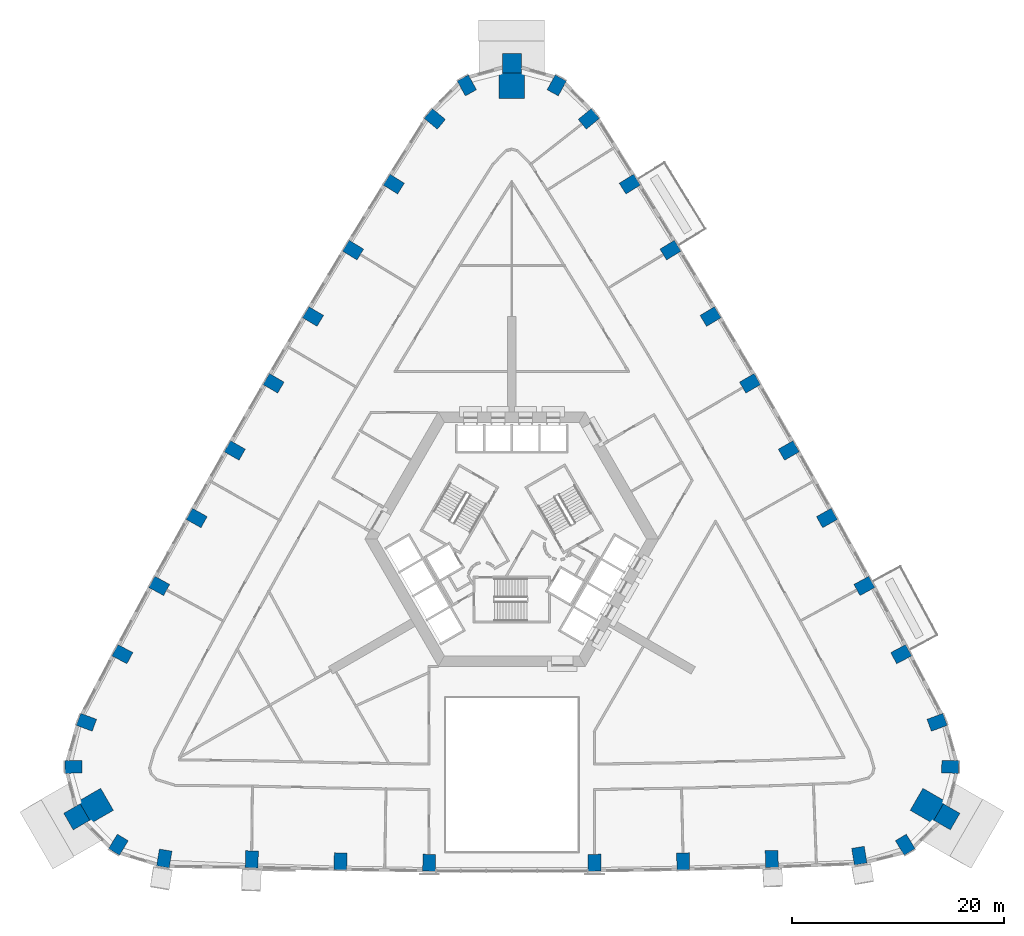
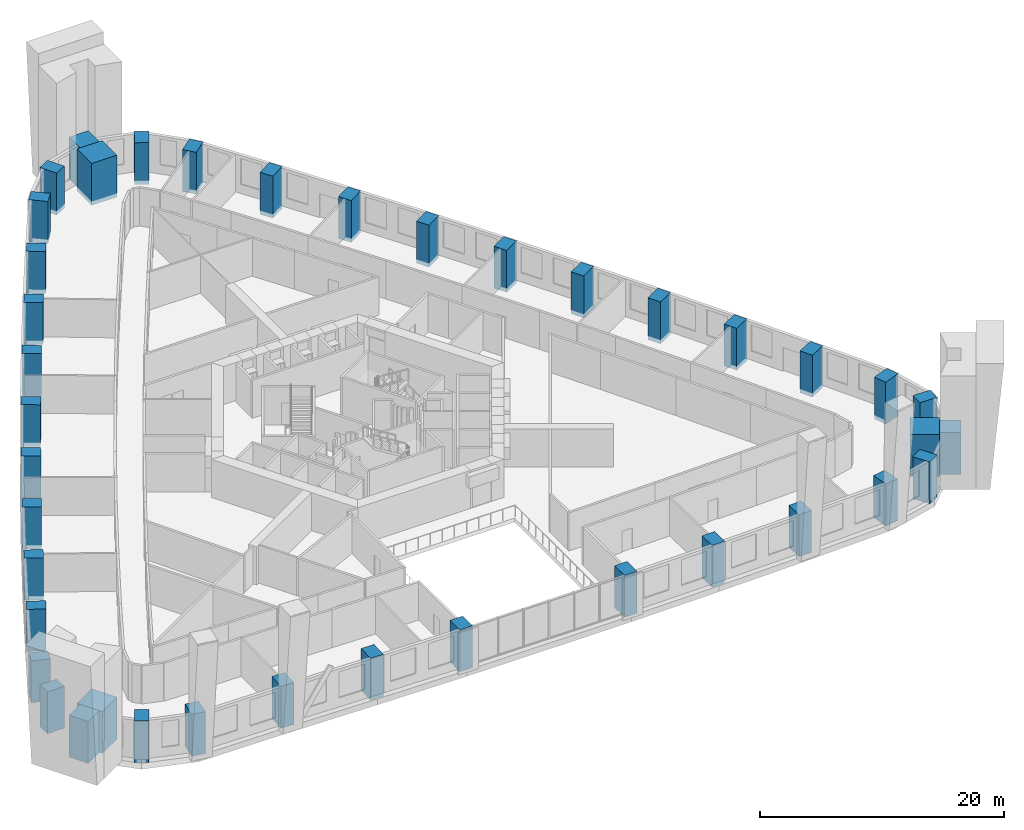
# One storey, part 1 of 16: 40 columns.
"""IFC4 building model written with IfcOpenShell, lengths in metres."""

import ifcopenshell
import ifcopenshell.guid

model = None  # the IFC model being written
_history = None  # IfcOwnerHistory: only IFC2X3 demands one
_inside = {}  # id of a spatial element -> (the spatial element, [elements in it])
_under = {}  # id of a project, library or spatial element -> (it, [spatial elements below it])
_declared = {}  # id of a project -> (the project, [libraries it declares])
_typed = {}  # id of a type object -> (the type object, [elements of that type])
_made_of = {}  # id of a material, layer set ... -> (it, [elements and type objects made of it])


def new_model(schema):
    """Start an empty IFC model of exactly this schema.

    Asked for "IFC4X3", IfcOpenShell would pick the latest addendum, in which some entities
    have other attributes; the version numbers below select the first issue.
    IFC2X3 requires an IfcOwnerHistory on every rooted entity: one is made here for all.
    """
    global model, _history
    if schema == "IFC4X3":
        model = ifcopenshell.file(schema_version=(4, 3, 0, 0))
    else:
        model = ifcopenshell.file(schema=schema)
    _inside.clear()
    _under.clear()
    _declared.clear()
    _typed.clear()
    _made_of.clear()
    _history = None
    if model.schema == "IFC2X3":
        org = make("IfcOrganization", Name="unknown")
        user = make(
            "IfcPersonAndOrganization",
            ThePerson=make("IfcPerson", FamilyName="unknown"),
            TheOrganization=org,
        )
        app = make(
            "IfcApplication",
            ApplicationDeveloper=org,
            Version="unknown",
            ApplicationFullName="unknown",
            ApplicationIdentifier="unknown",
        )
        _history = make(
            "IfcOwnerHistory",
            OwningUser=user,
            OwningApplication=app,
            ChangeAction="ADDED",
            CreationDate=0,
        )
    return model


def make(cls, **values):
    """One entity of the class cls with the attributes given. An attribute that is None is left unset."""
    return model.create_entity(
        cls, **{name: value for name, value in values.items() if value is not None}
    )


def rooted(cls, **values):
    """An entity with a GlobalId (a new one), such as an element, a storey or a relation."""
    return make(cls, GlobalId=ifcopenshell.guid.new(), OwnerHistory=_history, **values)


def si_unit(unit_type, name, prefix=None):
    """IfcSIUnit, for example si_unit("LENGTHUNIT", "METRE", prefix="MILLI")."""
    return make("IfcSIUnit", UnitType=unit_type, Prefix=prefix, Name=name)


def assignment(units):
    """IfcUnitAssignment: the units of a project."""
    return None if units is None else make("IfcUnitAssignment", Units=units)


def point(xyz):
    """IfcCartesianPoint."""
    return None if xyz is None else make("IfcCartesianPoint", Coordinates=xyz)


def direction(xyz):
    """IfcDirection."""
    return None if xyz is None else make("IfcDirection", DirectionRatios=xyz)


def frame(location, z_axis=None, x_axis=None):
    """IfcAxis2Placement3D, a coordinate frame: its origin and axes. An axis left out is left unset."""
    return make(
        "IfcAxis2Placement3D",
        Location=point(location),
        Axis=direction(z_axis),
        RefDirection=direction(x_axis),
    )


def frame_2d(location, x_axis=None):
    """IfcAxis2Placement2D, a coordinate frame in the plane: its origin and x axis."""
    return make(
        "IfcAxis2Placement2D", Location=point(location), RefDirection=direction(x_axis)
    )


def origin():
    """The frame at (0, 0, 0) with its axes left unset."""
    return frame((0.0, 0.0, 0.0))


def origin_2d():
    """The frame at (0, 0) in the plane with its x axis left unset."""
    return frame_2d((0.0, 0.0))


def place(relative_to, where):
    """IfcLocalPlacement: puts the frame where relative to a parent placement (None: the world)."""
    return make(
        "IfcLocalPlacement", PlacementRelTo=relative_to, RelativePlacement=where
    )


def context(
    kind, dimensions, precision=None, world=None, true_north=None, identifier=None
):
    """IfcGeometricRepresentationContext, for example the 3D "Model" context."""
    return make(
        "IfcGeometricRepresentationContext",
        ContextIdentifier=identifier,
        ContextType=kind,
        CoordinateSpaceDimension=dimensions,
        Precision=precision,
        WorldCoordinateSystem=world,
        TrueNorth=true_north,
    )


def subcontext(parent, identifier, kind, view, scale=None):
    """IfcGeometricRepresentationSubContext, for example "Body" below "Model"."""
    return make(
        "IfcGeometricRepresentationSubContext",
        ContextIdentifier=identifier,
        ContextType=kind,
        ParentContext=parent,
        TargetScale=scale,
        TargetView=view,
    )


def project(units=None, contexts=None):
    """IfcProject with its units and contexts."""
    return rooted(
        "IfcProject",
        Name="project",
        RepresentationContexts=contexts,
        UnitsInContext=assignment(units),
    )


def spatial(cls, under=None, at=None, **own):
    """A site, building, storey or space (cls), placed at a placement, below another one or the project."""
    s = rooted(cls, ObjectPlacement=at, **own)
    if under is not None:
        _under.setdefault(under.id(), (under, []))[1].append(s)
    return s


def profile(cls, at=None, kind="AREA", **sizes):
    """A parametric profile (cls). Its sizes go by their IFC names, for example OverallWidth=200.0."""
    return make(cls, ProfileType=kind, Position=at, **sizes)


def rectangle(**sizes):
    """IfcRectangleProfileDef."""
    return profile("IfcRectangleProfileDef", **sizes)


def extrude(swept, where, along, depth):
    """IfcExtrudedAreaSolid: the profile swept, set in the frame where, extruded along a direction by depth."""
    return make(
        "IfcExtrudedAreaSolid",
        SweptArea=swept,
        Position=where,
        ExtrudedDirection=direction(along),
        Depth=depth,
    )


def shape(context_of_items, identifier, shape_type, items):
    """IfcShapeRepresentation: the items that make up one representation, for example the "Body"."""
    return make(
        "IfcShapeRepresentation",
        ContextOfItems=context_of_items,
        RepresentationIdentifier=identifier,
        RepresentationType=shape_type,
        Items=items,
    )


def material(Name=None, Category=None):
    """IfcMaterial."""
    return make("IfcMaterial", Name=Name, Category=Category)


def material_profile(
    of_material, cross_section, Name=None, Category=None, Priority=None
):
    """IfcMaterialProfile: a cross section and its material."""
    return make(
        "IfcMaterialProfile",
        Name=Name,
        Material=of_material,
        Profile=cross_section,
        Priority=Priority,
        Category=Category,
    )


def profile_set(profiles, Name=None, composite=None):
    """IfcMaterialProfileSet."""
    return make(
        "IfcMaterialProfileSet",
        Name=Name,
        MaterialProfiles=profiles,
        CompositeProfile=composite,
    )


def made_of(thing, what):
    """Note that an element or type object is made of a material, layer set ...; save() writes the relation."""
    if what is not None:
        _made_of.setdefault(what.id(), (what, []))[1].append(thing)
    return thing


def type_object(cls, material=None, **own):
    """A type object (cls), such as IfcWallType, which elements share."""
    return made_of(rooted(cls, **own), material)


def element(
    cls,
    number,
    at=None,
    inside=None,
    cuts=None,
    type_object=None,
    material=None,
    context=None,
    identifier="Body",
    shape_type=None,
    held_by="IfcProductDefinitionShape",
    body=None,
    shapes=None,
    **own,
):
    """One element of the class cls, such as IfcWall. Its Tag is "e" and its number.

    at: its placement. inside: the storey or other place that contains it. cuts: it is an
    opening in that element (IfcRelVoidsElement). A single representation is given by context,
    identifier, shape_type and body (its items); several are given by shapes. held_by: the class
    of the entity that holds the representations. save() writes the other relations.
    """
    e = rooted(cls, Tag="e%d" % number, ObjectPlacement=at, **own)
    if body is not None:
        shapes = [shape(context, identifier, shape_type, body)]
    if shapes is not None:
        e.Representation = make(held_by, Representations=shapes)
    if inside is not None:
        _inside.setdefault(inside.id(), (inside, []))[1].append(e)
    if cuts is not None:
        rooted(
            "IfcRelVoidsElement", RelatingBuildingElement=cuts, RelatedOpeningElement=e
        )
    if type_object is not None:
        _typed.setdefault(type_object.id(), (type_object, []))[1].append(e)
    return made_of(e, material)


def aggregate(whole, parts):
    """IfcRelAggregates: a whole, such as a stair, and the parts it consists of."""
    return rooted("IfcRelAggregates", RelatingObject=whole, RelatedObjects=parts)


def save(model, path):
    """Write the relations noted so far, then the file.

    IfcRelAggregates (storeys below a building ...), IfcRelContainedInSpatialStructure (elements
    in a storey), IfcRelDefinesByType, IfcRelAssociatesMaterial and IfcRelDeclares: one each for
    every whole, place, type object, material and project.
    """
    for whole, parts in _under.values():
        aggregate(whole, parts)
    for where, things in _inside.values():
        rooted(
            "IfcRelContainedInSpatialStructure",
            RelatedElements=things,
            RelatingStructure=where,
        )
    for kind, things in _typed.values():
        rooted("IfcRelDefinesByType", RelatedObjects=things, RelatingType=kind)
    for what, things in _made_of.values():
        rooted("IfcRelAssociatesMaterial", RelatedObjects=things, RelatingMaterial=what)
    for by, libraries in _declared.values():
        rooted("IfcRelDeclares", RelatingContext=by, RelatedDefinitions=libraries)
    model.write(path)


model = new_model("IFC4")

# Units and contexts
model_context = context("Model", 3, precision=1e-05, world=origin(), true_north=direction((0.0, 1.0)))
body_context = subcontext(model_context, "Body", "Model", "MODEL_VIEW")
ifc_project = project(units=[si_unit("LENGTHUNIT", "METRE"), si_unit("AREAUNIT", "SQUARE_METRE"), si_unit("VOLUMEUNIT", "CUBIC_METRE"), si_unit("PLANEANGLEUNIT", "RADIAN"), si_unit("MASSUNIT", "GRAM", prefix="KILO")], contexts=[model_context])

# Site, building, storey
site_placement = place(None, origin())
site = spatial("IfcSite", under=ifc_project, at=site_placement, CompositionType="ELEMENT")
building_placement = place(site_placement, origin())
building = spatial("IfcBuilding", under=site, at=building_placement, Name="Entoto Arch Interchange Tower", CompositionType="ELEMENT")
storey_placement = place(building_placement, frame((0.0, 0.0, 47.60009765625)))
storey = spatial("IfcBuildingStorey", under=building, at=storey_placement, Name="L09", CompositionType="ELEMENT", Elevation=47.60009765625)

# Columns
ifc_material_1 = material(Name="Concrete C60/75", Category="concrete")
ifc_material_profile_1 = material_profile(ifc_material_1, rectangle(XDim=1.199951171875, YDim=1.60009765625, at=origin_2d()))
ifc_profile_set_1 = profile_set([ifc_material_profile_1], Name="Concrete C60/75")
column_type_1 = type_object("IfcColumnType", Name="Column RC 1200x1600 C60/75", PredefinedType="COLUMN", material=ifc_profile_set_1)
for number, where, z_axis, x_axis, name in (
    (1, (-32.760986328125, -27.60888671875, -0.400146484375), (0.0, 0.0, 1.0), (-0.98600476771, 0.166717119856, 0.0), "Column S01 L09"),
    (2, (-24.510009765625, -27.68994140625, -0.400146484375), (0.0, 0.0, 1.0), (-0.999434480961, 0.033626154508, 0.0), "Column S02 L09"),
    (3, (-16.14990234375, -27.876953125, -0.400146484375), (0.0, 0.0, 1.0), (-0.99975435134, 0.022163866481, 0.0), "Column S03 L09"),
    (4, (-7.79296875, -28.010009765625, -0.400146484375), (0.0, 0.0, 1.0), (-0.999966355195, 0.008202955488, 0.0), "Column S04 L09"),
    (5, (7.79296875, -28.010009765625, -0.400146484375), (0.0, 0.0, 1.0), (0.999966355195, 0.008202955488, 0.0), "Column S05 L09"),
    (6, (16.14990234375, -27.876953125, -0.400146484375), (0.0, 0.0, 1.0), (0.99975435134, 0.022163866481, 0.0), "Column S06 L09"),
    (7, (24.510009765625, -27.652099609375, -0.400146484375), (0.0, 0.0, 1.0), (0.999434480961, 0.033626154508, 0.0), "Column S07 L09"),
    (8, (32.760986328125, -27.344970703125, -0.400146484375), (0.0, 0.0, 1.0), (0.98600476771, 0.166717119856, 0.0), "Column S08 L09"),
    (9, (37.087890625, -26.306884765625, -0.400146484375), (0.0, 0.0, 1.0), (0.854522294989, 0.519414716163, 0.0), "Column SE1 L09"),
    (10, (41.325927734375, -18.966064453125, -0.400146484375), (0.0, 0.0, 1.0), (0.022565191802, 0.999745373642, 0.0), "Column SE3 L09"),
    (11, (40.096923828125, -14.77001953125, -0.400146484375), (0.0, 0.0, 1.0), (-0.348277574304, 0.937391450375, 0.0), "Column NE01 L09"),
    (12, (36.7080078125, -8.34912109375, -0.400146484375), (0.0, 0.0, 1.0), (-0.46931745221, 0.883029517656, 0.0), "Column NE02 L09"),
    (13, (33.238037109375, -1.9130859375, -0.400146484375), (0.0, 0.0, 1.0), (-0.478140110514, 0.878283573066, 0.0), "Column NE03 L09"),
    (14, (29.7060546875, 4.487060546875, -0.400146484375), (0.0, 0.0, 1.0), (-0.486914781103, 0.873449481048, 0.0), "Column NE04 L09"),
    (15, (26.112060546875, 10.85498046875, -0.400146484375), (0.0, 0.0, 1.0), (-0.495655741916, 0.868519076074, 0.0), "Column NE05 L09"),
    (16, (22.45703125, 17.18603515625, -0.400146484375), (0.0, 0.0, 1.0), (-0.504331712594, 0.863510002068, 0.0), "Column NE06 L09"),
    (17, (18.739013671875, 23.48193359375, -0.400146484375), (0.0, 0.0, 1.0), (-0.512972048958, 0.858405310438, 0.0), "Column NE07 L09"),
    (18, (14.9609375, 29.742919921875, -0.400146484375), (0.0, 0.0, 1.0), (-0.521545830745, 0.853223268806, 0.0), "Column NE08 L09"),
    (19, (11.123046875, 35.965087890625, -0.400146484375), (0.0, 0.0, 1.0), (-0.530067268476, 0.847955594881, 0.0), "Column NE09 L09"),
    (20, (7.258056640625, 42.111083984375, -0.400146484375), (0.0, 0.0, 1.0), (-0.637666022163, 0.770312952103, 0.0), "Column NE10 L09"),
    (21, (4.238037109375, 45.27197265625, -0.400146484375), (0.0, 0.0, 1.0), (-0.877079103306, 0.48034596547, 0.0), "Column N1 L09"),
    (22, (-4.238037109375, 45.27197265625, -0.400146484375), (0.0, 0.0, 1.0), (0.877079103306, 0.48034596547, 0.0), "Column N3 L09"),
    (23, (-7.258056640625, 42.111083984375, -0.400146484375), (0.0, 0.0, 1.0), (0.637666022163, 0.770312952103, 0.0), "Column NW01 L09"),
    (24, (-11.123046875, 35.965087890625, -0.400146484375), (0.0, 0.0, 1.0), (0.530067268476, 0.847955594881, 0.0), "Column NW02 L09"),
    (25, (-14.9609375, 29.742919921875, -0.400146484375), (0.0, 0.0, 1.0), (0.521545830745, 0.853223268806, 0.0), "Column NW03 L09"),
    (26, (-18.739013671875, 23.48193359375, -0.400146484375), (0.0, 0.0, 1.0), (0.512972048958, 0.858405310438, 0.0), "Column NW04 L09"),
    (27, (-22.45703125, 17.18603515625, -0.400146484375), (0.0, 0.0, 1.0), (0.504331712594, 0.863510002068, 0.0), "Column NW05 L09"),
    (28, (-26.112060546875, 10.85498046875, -0.400146484375), (0.0, 0.0, 1.0), (0.495655741916, 0.868519076074, 0.0), "Column NW06 L09"),
    (29, (-29.7060546875, 4.487060546875, -0.400146484375), (0.0, 0.0, 1.0), (0.486914781103, 0.873449481048, 0.0), "Column NW07 L09"),
    (30, (-33.238037109375, -1.9130859375, -0.400146484375), (0.0, 0.0, 1.0), (0.478140110514, 0.878283573066, 0.0), "Column NW08 L09"),
    (31, (-36.7080078125, -8.34912109375, -0.400146484375), (0.0, 0.0, 1.0), (0.46931745221, 0.883029517656, 0.0), "Column NW09 L09"),
    (32, (-40.096923828125, -14.77001953125, -0.400146484375), (0.0, 0.0, 1.0), (0.348277574304, 0.937391450375, 0.0), "Column NW10 L09"),
    (33, (-41.325927734375, -18.966064453125, -0.400146484375), (0.0, 0.0, 1.0), (-0.022565191802, 0.999745373642, 0.0), "Column SW1 L09"),
    (34, (-37.087890625, -26.306884765625, -0.400146484375), (0.0, 0.0, 1.0), (-0.854522294989, 0.519414716163, 0.0), "Column SW3 L09"),
):
    element("IfcColumn", number, at=place(storey_placement, frame(where, z_axis=z_axis, x_axis=x_axis)), inside=storey, type_object=column_type_1, Name=name, PredefinedType="COLUMN", context=body_context, shape_type="SweptSolid", body=[
        extrude(rectangle(XDim=1.199951171875, YDim=1.60009765625, at=origin_2d()), origin(), (0.0, 0.0, 1.0), 4.199951171875),
    ])
ifc_material_2 = material(Name="Precast concrete C40/50", Category="concrete")
ifc_material_profile_2 = material_profile(ifc_material_2, rectangle(XDim=1.800048828125, YDim=1.800048828125, at=origin_2d()))
ifc_profile_set_2 = profile_set([ifc_material_profile_2], Name="Precast concrete C40/50")
column_type_2 = type_object("IfcColumnType", Name="Frame post RC 1800x1800 precast C40/50", PredefinedType="COLUMN", material=ifc_profile_set_2)
for number, where, z_axis, x_axis, name in (
    (35, (41.012939453125, -23.678955078125, -0.400146484375), (0.0, 0.0, 1.0), (-0.866025403784, 0.5, 0.0), "Frame post SE L09"),
    (36, (0.0, 47.35791015625, -0.400146484375), (0.0, 0.0, 1.0), (0.0, 1.0, 0.0), "Frame post N L09"),
    (37, (-41.012939453125, -23.678955078125, -0.400146484375), (0.0, 0.0, 1.0), (0.866025403784, 0.5, 0.0), "Frame post SW L09"),
):
    element("IfcColumn", number, at=place(storey_placement, frame(where, z_axis=z_axis, x_axis=x_axis)), inside=storey, type_object=column_type_2, Name=name, PredefinedType="COLUMN", context=body_context, shape_type="SweptSolid", body=[
        extrude(rectangle(XDim=1.800048828125, YDim=1.800048828125, at=origin_2d()), origin(), (0.0, 0.0, 1.0), 4.199951171875),
    ])
ifc_material_profile_3 = material_profile(ifc_material_1, rectangle(XDim=2.39990234375, YDim=2.39990234375, at=origin_2d()))
ifc_profile_set_3 = profile_set([ifc_material_profile_3], Name="Concrete C60/75")
column_type_3 = type_object("IfcColumnType", Name="Mega column RC 2400x2400 C60/75", PredefinedType="COLUMN", material=ifc_profile_set_3)
for number, where, z_axis, x_axis, name in (
    (38, (39.194091796875, -22.62890625, -0.400146484375), (0.0, 0.0, 1.0), (-0.866025403784, 0.5, 0.0), "Corner mega column SE2 L09"),
    (39, (0.0, 45.258056640625, -0.400146484375), (0.0, 0.0, 1.0), (0.0, 1.0, 0.0), "Corner mega column N2 L09"),
    (40, (-39.194091796875, -22.62890625, -0.400146484375), (0.0, 0.0, 1.0), (0.866025403784, 0.5, 0.0), "Corner mega column SW2 L09"),
):
    element("IfcColumn", number, at=place(storey_placement, frame(where, z_axis=z_axis, x_axis=x_axis)), inside=storey, type_object=column_type_3, Name=name, PredefinedType="COLUMN", context=body_context, shape_type="SweptSolid", body=[
        extrude(rectangle(XDim=2.39990234375, YDim=2.39990234375, at=origin_2d()), origin(), (0.0, 0.0, 1.0), 4.199951171875),
    ])

save(model, "model.ifc")
